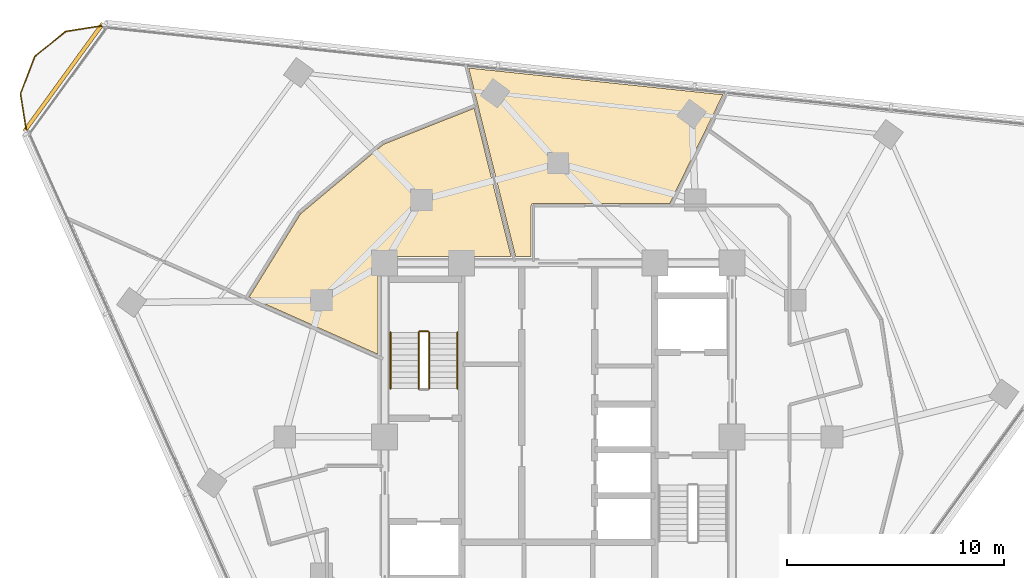
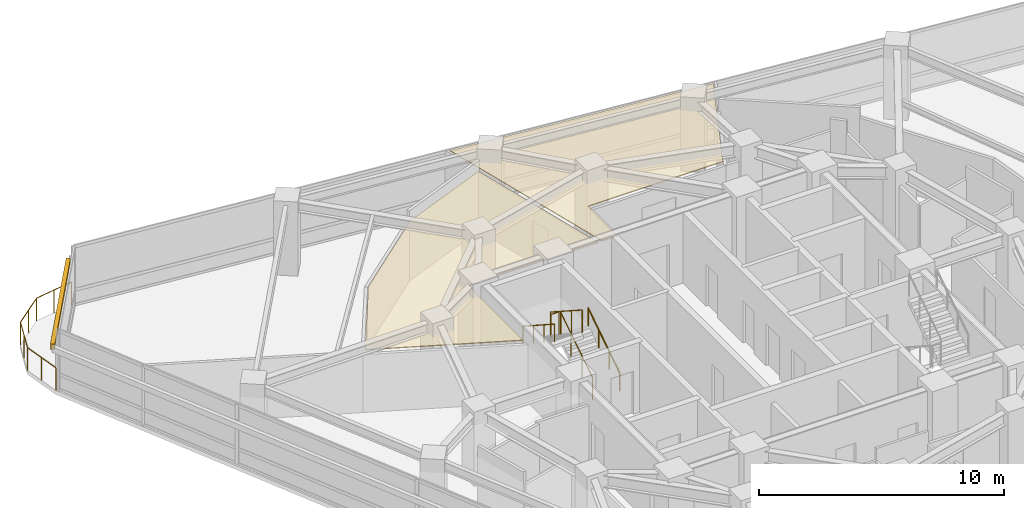
# One storey, part 14 of 15: 6 railings, 2 coverings, 1 shading device.
"""IFC4 building model written with IfcOpenShell, lengths in metres."""

from ifc_helpers import new_model, si_unit, direction, frame, origin, origin_2d, place, context, subcontext, project, spatial, polyline, rectangle, circle, outline, extrude, material, layer, layer_set, type_object, element, save


model = new_model("IFC4")

# Units and contexts
model_context = context("Model", 3, precision=1e-05, world=origin(), true_north=direction((0.0, 1.0)))
body_context = subcontext(model_context, "Body", "Model", "MODEL_VIEW")
ifc_project = project(units=[si_unit("LENGTHUNIT", "METRE"), si_unit("AREAUNIT", "SQUARE_METRE"), si_unit("VOLUMEUNIT", "CUBIC_METRE"), si_unit("PLANEANGLEUNIT", "RADIAN"), si_unit("MASSUNIT", "GRAM", prefix="KILO")], contexts=[model_context])

# Site, building, storey
site_placement = place(None, origin())
site = spatial("IfcSite", under=ifc_project, at=site_placement, CompositionType="ELEMENT")
building_placement = place(site_placement, origin())
building = spatial("IfcBuilding", under=site, at=building_placement, Name="Terralouvre Media Tower", CompositionType="ELEMENT")
storey_placement = place(building_placement, frame((0.0, 0.0, 233.699951171875)))
storey = spatial("IfcBuildingStorey", under=building, at=storey_placement, Name="L60", CompositionType="ELEMENT", Elevation=233.699951171875)

# Coverings
ifc_material_1 = material(Name="Perforated aluminium acoustic ceiling baffle", Category="aluminium")
ifc_layer_1 = layer(ifc_material_1, 0.0400390625, Name="Perforated Acoustic Metal Tile Ceiling CL-AC1")
ifc_layer_set_1 = layer_set([ifc_layer_1], Name="Perforated aluminium acoustic ceiling baffle")
covering_type = type_object("IfcCoveringType", Name="Perforated Acoustic Metal Tile Ceiling CL-AC1", PredefinedType="CEILING", material=ifc_layer_set_1)
covering_1_placement = place(storey_placement, frame((0.0, 0.0, 2.97998046875), z_axis=(0.0, 0.0, 1.0), x_axis=(0.587785252292, 0.809016994375, 0.0)))
element("IfcCovering", 1, at=covering_1_placement, inside=storey, type_object=covering_type, Name="L60 Legal Vetting Conference Room 8 Acoustic Ceiling", PredefinedType="CEILING", context=body_context, shape_type="SweptSolid", body=[
    extrude(outline(polyline([(5.565673828125, 6.477294921875), (5.98828125, 5.895751953125), (7.88134765625, 7.271240234375), (7.889404296875, 7.276611328125), (7.898193359375, 7.281005859375), (7.9072265625, 7.28466796875), (7.916748046875, 7.28759765625), (7.92626953125, 7.289306640625), (7.936279296875, 7.290283203125), (7.946044921875, 7.2900390625), (7.955810546875, 7.2890625), (7.96533203125, 7.287109375), (7.974609375, 7.2841796875), (7.983642578125, 7.2802734375), (7.992431640625, 7.275634765625), (8.00048828125, 7.27001953125), (8.008056640625, 7.263671875), (8.014892578125, 7.256591796875), (8.02099609375, 7.2490234375), (11.713134765625, 2.167236328125), (15.4658203125, 2.82861328125), (17.202392578125, 3.134521484375), (11.3154296875, 13.330322265625), (10.19287109375, 11.99267578125), (5.565673828125, 6.477294921875)])), origin(), (0.0, 0.0, 1.0), 0.0400390625),
])
covering_2_placement = place(storey_placement, frame((0.0, 0.0, 2.97998046875), z_axis=(0.0, 0.0, 1.0), x_axis=(0.587785252292, 0.809016994375, 0.0)))
element("IfcCovering", 2, at=covering_2_placement, inside=storey, type_object=covering_type, Name="L60 Fact-Check Reference Library 9 Acoustic Ceiling", PredefinedType="CEILING", context=body_context, shape_type="SweptSolid", body=[
    extrude(outline(polyline([(6.17626953125, 14.432861328125), (1.322509765625, 15.643310546875), (-3.150390625, 15.303955078125), (-1.802978515625, 8.9619140625), (1.757568359375, 11.548583984375), (1.765869140625, 11.553955078125), (1.7744140625, 11.55859375), (1.783447265625, 11.562255859375), (1.79296875, 11.56494140625), (1.802490234375, 11.56689453125), (1.8125, 11.567626953125), (1.822265625, 11.567626953125), (1.83203125, 11.56640625), (1.841552734375, 11.564453125), (1.850830078125, 11.5615234375), (1.85986328125, 11.5576171875), (1.86865234375, 11.552978515625), (1.876708984375, 11.54736328125), (1.88427734375, 11.541259765625), (1.89111328125, 11.5341796875), (1.897216796875, 11.526611328125), (5.444580078125, 6.64404296875), (9.966064453125, 12.033447265625), (6.17626953125, 14.432861328125)])), origin(), (0.0, 0.0, 1.0), 0.0400390625),
])

# Railings
ifc_material_2 = material(Name="Stainless steel 316 handrail and balustrade", Category="steel")
ifc_layer_2 = layer(ifc_material_2, 0.06005859375, Name="Roof Edge Safety Guardrail GR-ROOF1")
ifc_layer_set_2 = layer_set([ifc_layer_2], Name="Stainless steel 316 handrail and balustrade")
railing_type_1 = type_object("IfcRailingType", Name="Roof Edge Safety Guardrail GR-ROOF1", PredefinedType="GUARDRAIL", material=ifc_layer_set_2)
railing_1_placement = place(storey_placement, frame((-20.870361328125, 18.961181640625, 0.0)))
element("IfcRailing", 3, at=railing_1_placement, inside=storey, type_object=railing_type_1, Name="L60 Wind-Corner Perimeter Safety Guardrail C2", PredefinedType="GUARDRAIL", context=body_context, shape_type="SweptSolid", body=[
    extrude(circle(Radius=0.02099609375, at=origin_2d()), frame((0.0, 0.0, 1.12890625), z_axis=(-0.987731695444, -0.156160487372, 0.0), x_axis=(0.156160487372, -0.987731695444, 0.0)), (0.0, 0.0, 1.0), 1.8369140625),
    extrude(circle(Radius=0.02099609375, at=origin_2d()), frame((-1.814453125, -0.286865234375, 1.12890625), z_axis=(-0.777198436724, -0.629255583967, 0.0), x_axis=(0.629255583967, -0.777198436724, 0.0)), (0.0, 0.0, 1.0), 1.836669921875),
    extrude(circle(Radius=0.02099609375, at=origin_2d()), frame((-3.241943359375, -1.442626953125, 1.12890625), z_axis=(-0.35822186013, -0.933636491856, 0.0), x_axis=(0.933636491856, -0.35822186013, 0.0)), (0.0, 0.0, 1.0), 1.836669921875),
    extrude(circle(Radius=0.02099609375, at=origin_2d()), frame((-3.89990234375, -3.157470703125, 1.12890625), z_axis=(0.156699635824, -0.987646305178, 0.0), x_axis=(0.987646305178, 0.156699635824, 0.0)), (0.0, 0.0, 1.0), 1.8369140625),
    extrude(circle(Radius=0.01904296875, at=origin_2d()), origin(), (0.0, 0.0, 1.0), 1.10791015625),
    extrude(circle(Radius=0.01904296875, at=origin_2d()), frame((-0.9072265625, -0.1435546875, 0.0)), (0.0, 0.0, 1.0), 1.10791015625),
    extrude(circle(Radius=0.01904296875, at=origin_2d()), frame((-1.814453125, -0.286865234375, 0.0)), (0.0, 0.0, 1.0), 1.10791015625),
    extrude(circle(Radius=0.01904296875, at=origin_2d()), frame((-2.5283203125, -0.86474609375, 0.0)), (0.0, 0.0, 1.0), 1.10791015625),
    extrude(circle(Radius=0.01904296875, at=origin_2d()), frame((-3.241943359375, -1.442626953125, 0.0)), (0.0, 0.0, 1.0), 1.10791015625),
    extrude(circle(Radius=0.01904296875, at=origin_2d()), frame((-3.57080078125, -2.300048828125, 0.0)), (0.0, 0.0, 1.0), 1.10791015625),
    extrude(circle(Radius=0.01904296875, at=origin_2d()), frame((-3.89990234375, -3.157470703125, 0.0)), (0.0, 0.0, 1.0), 1.10791015625),
    extrude(circle(Radius=0.01904296875, at=origin_2d()), frame((-3.755859375, -4.064453125, 0.0)), (0.0, 0.0, 1.0), 1.10791015625),
    extrude(circle(Radius=0.01904296875, at=origin_2d()), frame((-3.612060546875, -4.9716796875, 0.0)), (0.0, 0.0, 1.0), 1.10791015625),
])
ifc_material_3 = material(Name="Stainless steel 316 handrail and balustrade", Category="steel")
ifc_layer_3 = layer(ifc_material_3, 0.050048828125, Name="Stair Flight Wall Handrail HR-INT1")
ifc_layer_set_3 = layer_set([ifc_layer_3], Name="Stainless steel 316 handrail and balustrade")
railing_type_2 = type_object("IfcRailingType", Name="Stair Flight Wall Handrail HR-INT1", PredefinedType="HANDRAIL", material=ifc_layer_set_3)
railing_2_placement = place(storey_placement, frame((-4.64990234375, 2.219970703125, 0.168212890625)))
element("IfcRailing", 4, at=railing_2_placement, inside=storey, type_object=railing_type_2, Name="L60 ST-01 stair handrail 1", PredefinedType="HANDRAIL", context=body_context, shape_type="SweptSolid", body=[
    extrude(circle(Radius=0.02392578125, at=origin_2d()), frame((0.0, 0.0, 0.8759765625), z_axis=(0.0, 0.839648411786, 0.543130320075), x_axis=(-1.0, 0.0, 0.0)), (0.0, 0.0, 1.0), 3.0966796875),
    extrude(circle(Radius=0.02099609375, at=origin_2d()), origin(), (0.0, 0.0, 1.0), 0.851806640625),
    extrude(circle(Radius=0.02099609375, at=origin_2d()), frame((0.0, 0.86669921875, 0.560546875)), (0.0, 0.0, 1.0), 0.851806640625),
    extrude(circle(Radius=0.02099609375, at=origin_2d()), frame((0.0, 1.7333984375, 1.121337890625)), (0.0, 0.0, 1.0), 0.851806640625),
    extrude(circle(Radius=0.02099609375, at=origin_2d()), frame((0.0, 2.60009765625, 1.681884765625)), (0.0, 0.0, 1.0), 0.851806640625),
])
railing_3_placement = place(storey_placement, frame((-7.72998046875, 4.820068359375, 2.018310546875)))
element("IfcRailing", 5, at=railing_3_placement, inside=storey, type_object=railing_type_2, Name="L60 ST-01 stair handrail 2", PredefinedType="HANDRAIL", context=body_context, shape_type="SweptSolid", body=[
    extrude(circle(Radius=0.02392578125, at=origin_2d()), frame((0.0, 0.0, 0.8759765625), z_axis=(0.0, -0.839684365666, 0.543074733399), x_axis=(1.0, 0.0, 0.0)), (0.0, 0.0, 1.0), 3.096435546875),
    extrude(circle(Radius=0.02099609375, at=origin_2d()), origin(), (0.0, 0.0, 1.0), 0.851806640625),
    extrude(circle(Radius=0.02099609375, at=origin_2d()), frame((0.0, -0.86669921875, 0.560546875)), (0.0, 0.0, 1.0), 0.851806640625),
    extrude(circle(Radius=0.02099609375, at=origin_2d()), frame((0.0, -1.7333984375, 1.12109375)), (0.0, 0.0, 1.0), 0.851806640625),
    extrude(circle(Radius=0.02099609375, at=origin_2d()), frame((0.0, -2.60009765625, 1.681640625)), (0.0, 0.0, 1.0), 0.851806640625),
])
ifc_material_4 = material(Name="Stainless steel 316 handrail and balustrade", Category="steel")
ifc_layer_4 = layer(ifc_material_4, 0.050048828125, Name="Stairwell Safety Guardrail GR-INT1")
ifc_layer_set_4 = layer_set([ifc_layer_4], Name="Stainless steel 316 handrail and balustrade")
railing_type_3 = type_object("IfcRailingType", Name="Stairwell Safety Guardrail GR-INT1", PredefinedType="GUARDRAIL", material=ifc_layer_set_4)
railing_4_placement = place(storey_placement, frame((-5.949951171875, 2.219970703125, 0.168212890625)))
element("IfcRailing", 6, at=railing_4_placement, inside=storey, type_object=railing_type_3, Name="L60 ST-01 stair guard 1", PredefinedType="GUARDRAIL", context=body_context, shape_type="SweptSolid", body=[
    extrude(circle(Radius=0.02392578125, at=origin_2d()), frame((0.0, 0.0, 1.1259765625), z_axis=(0.0, 0.839648411786, 0.543130320075), x_axis=(-1.0, 0.0, 0.0)), (0.0, 0.0, 1.0), 3.0966796875),
    extrude(circle(Radius=0.02099609375, at=origin_2d()), origin(), (0.0, 0.0, 1.0), 1.101806640625),
    extrude(circle(Radius=0.02099609375, at=origin_2d()), frame((0.0, 0.86669921875, 0.560546875)), (0.0, 0.0, 1.0), 1.101806640625),
    extrude(circle(Radius=0.02099609375, at=origin_2d()), frame((0.0, 1.7333984375, 1.121337890625)), (0.0, 0.0, 1.0), 1.101806640625),
    extrude(circle(Radius=0.02099609375, at=origin_2d()), frame((0.0, 2.60009765625, 1.681884765625)), (0.0, 0.0, 1.0), 1.101806640625),
])
railing_5_placement = place(storey_placement, frame((-6.0, 4.8701171875, 1.85009765625)))
element("IfcRailing", 7, at=railing_5_placement, inside=storey, type_object=railing_type_3, Name="L60 ST-01 stair guard 2", PredefinedType="GUARDRAIL", context=body_context, shape_type="SweptSolid", body=[
    extrude(circle(Radius=0.02392578125, at=origin_2d()), frame((0.0, 0.0, 1.1259765625), z_axis=(-1.0, 0.0, 0.0), x_axis=(0.0, -1.0, 0.0)), (0.0, 0.0, 1.0), 0.3798828125),
    extrude(circle(Radius=0.02099609375, at=origin_2d()), origin(), (0.0, 0.0, 1.0), 1.101806640625),
    extrude(circle(Radius=0.02099609375, at=origin_2d()), frame((-0.3798828125, 0.0, 0.0)), (0.0, 0.0, 1.0), 1.101806640625),
])
railing_6_placement = place(storey_placement, frame((-6.429931640625, 4.820068359375, 2.018310546875)))
element("IfcRailing", 8, at=railing_6_placement, inside=storey, type_object=railing_type_3, Name="L60 ST-01 stair guard 3", PredefinedType="GUARDRAIL", context=body_context, shape_type="SweptSolid", body=[
    extrude(circle(Radius=0.02392578125, at=origin_2d()), frame((0.0, 0.0, 1.1259765625), z_axis=(0.0, -0.839684365666, 0.543074733399), x_axis=(1.0, 0.0, 0.0)), (0.0, 0.0, 1.0), 3.096435546875),
    extrude(circle(Radius=0.02099609375, at=origin_2d()), origin(), (0.0, 0.0, 1.0), 1.101806640625),
    extrude(circle(Radius=0.02099609375, at=origin_2d()), frame((0.0, -0.86669921875, 0.560546875)), (0.0, 0.0, 1.0), 1.101806640625),
    extrude(circle(Radius=0.02099609375, at=origin_2d()), frame((0.0, -1.7333984375, 1.12109375)), (0.0, 0.0, 1.0), 1.101806640625),
    extrude(circle(Radius=0.02099609375, at=origin_2d()), frame((0.0, -2.60009765625, 1.681640625)), (0.0, 0.0, 1.0), 1.101806640625),
])

# Shading device
ifc_material_5 = material(Name="Extruded terracotta baguette sunshade louvres", Category="masonry")
shading_device_type = type_object("IfcShadingDeviceType", Name="Terracotta Baguette Sunshade Louvre Screen TB-LV1", PredefinedType="USERDEFINED", material=ifc_material_5)
shading_device_placement = place(storey_placement, frame((-22.785400390625, 16.5546875, 2.02392578125), z_axis=(0.0, 0.0, 1.0), x_axis=(-0.58778588998, -0.809016531067, 0.0)))
element("IfcShadingDevice", 9, at=shading_device_placement, inside=storey, type_object=shading_device_type, Name="CW-L60-C2 Terracotta Baguette Sunshade Louvre", ObjectType="BAGUETTE", PredefinedType="USERDEFINED", context=body_context, shape_type="SweptSolid", body=[
    extrude(rectangle(XDim=6.148681640625, YDim=0.179931640625, at=origin_2d()), origin(), (0.0, 0.0, 1.0), 0.280029296875),
])

save(model, "model.ifc")
